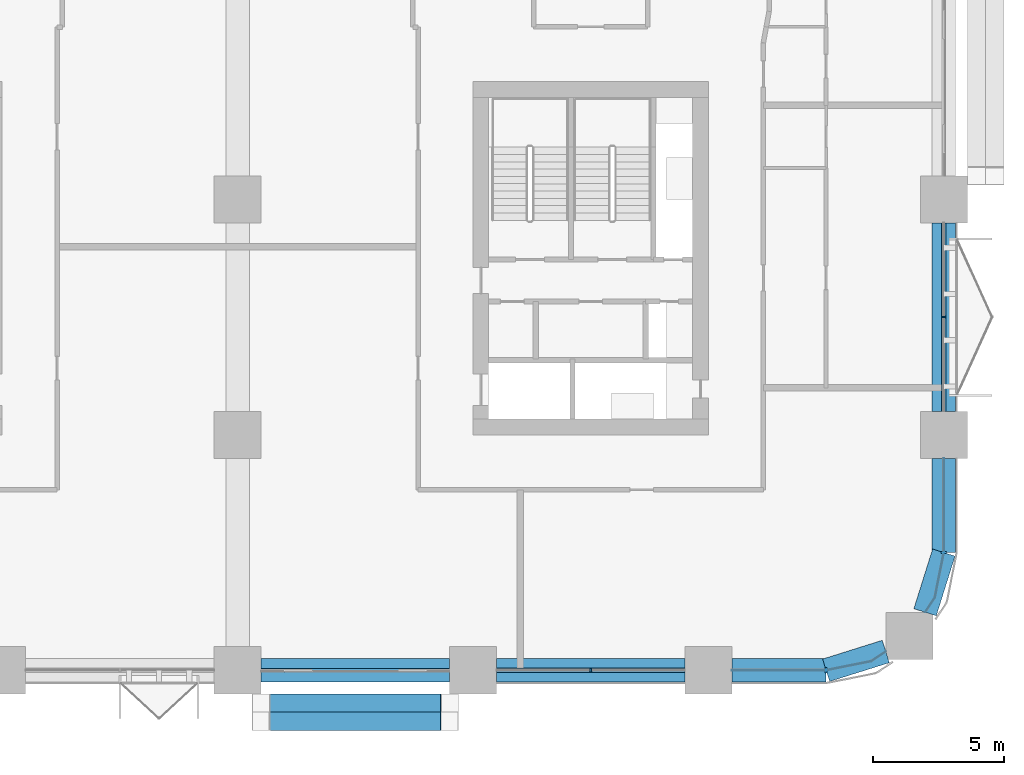
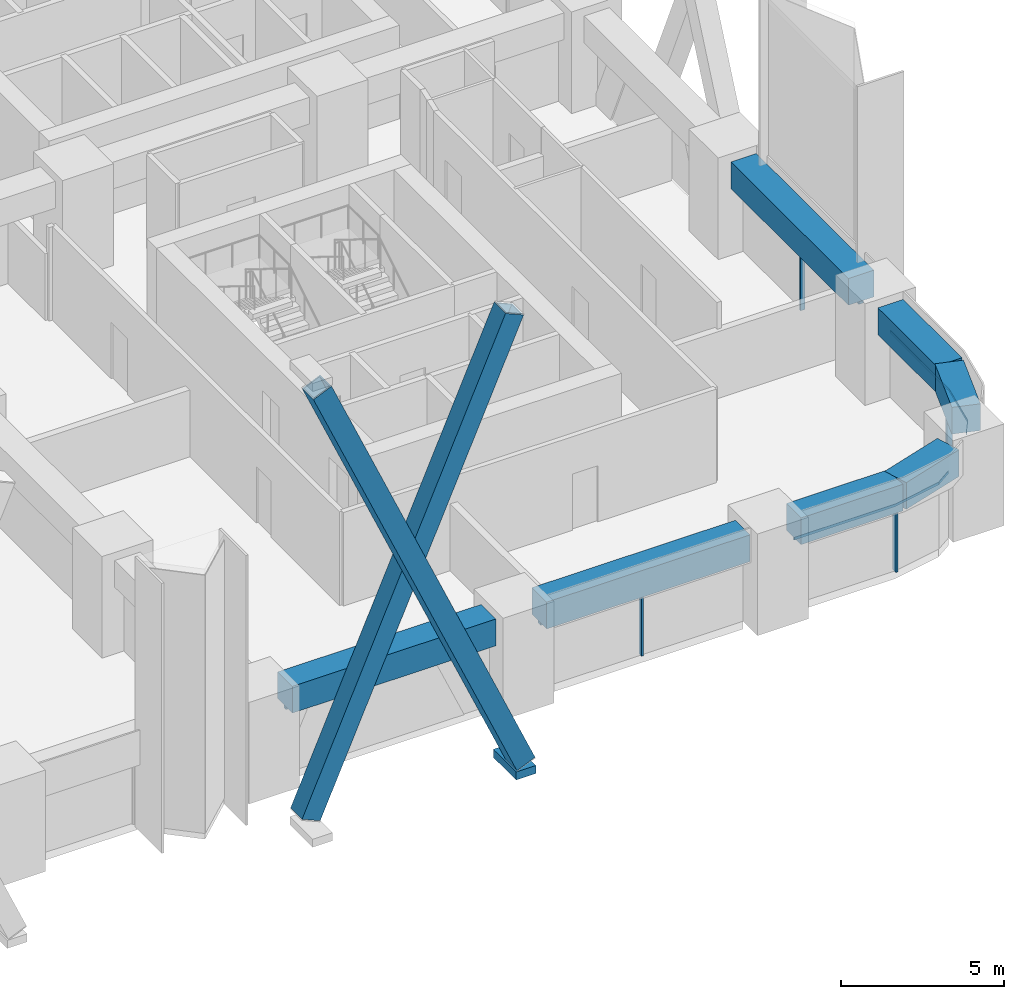
# One storey, part 5 of 24: 12 members, 7 beams, 5 elements without a shape of their own.
"""IFC4 building model written with IfcOpenShell, lengths in metres."""

from ifc_helpers import new_model, si_unit, direction, frame, origin, origin_2d, place, context, subcontext, project, spatial, polyline, rectangle, hollow_rectangle, outline, extrude, material, layer, layer_set, material_profile, profile_set, type_object, element, aggregate, save


model = new_model("IFC4")

# Units and contexts
model_context = context("Model", 3, precision=1e-05, world=origin(), true_north=direction((0.0, 1.0)))
body_context = subcontext(model_context, "Body", "Model", "MODEL_VIEW")
ifc_project = project(units=[si_unit("LENGTHUNIT", "METRE"), si_unit("AREAUNIT", "SQUARE_METRE"), si_unit("VOLUMEUNIT", "CUBIC_METRE"), si_unit("PLANEANGLEUNIT", "RADIAN"), si_unit("MASSUNIT", "GRAM", prefix="KILO")], contexts=[model_context])

# Site, building, storey
site_placement = place(None, origin())
site = spatial("IfcSite", under=ifc_project, at=site_placement, CompositionType="ELEMENT")
building_placement = place(site_placement, origin())
building = spatial("IfcBuilding", under=site, at=building_placement, Name="Tessera Arch", CompositionType="ELEMENT")
storey_placement = place(building_placement, frame((0.0, 0.0, 61.39990234375)))
storey = spatial("IfcBuildingStorey", under=building, at=storey_placement, Name="L13", CompositionType="ELEMENT", Elevation=61.39990234375)

# Members
ifc_material_1 = material(Name="Steel A572 Gr50", Category="steel")
ifc_material_profile_1 = material_profile(ifc_material_1, hollow_rectangle(XDim=0.699951171875, YDim=0.699951171875, WallThickness=0.050048828125, at=origin_2d()), Name="BOX 700x700x50")
ifc_profile_set_1 = profile_set([ifc_material_profile_1], Name="Steel A572 Gr50")
member_type_1 = type_object("IfcMemberType", Name="Brace BOX 700x700x50 Steel A572 Gr50", PredefinedType="BRACE", material=ifc_profile_set_1)
for number, where, z_axis, x_axis, name in (
    (1, (27.89990234375, -1.25, -0.7998046875), (0.402001211434, 0.0, 0.915639135252), (0.0, 1.0, 0.0), "Brace S0.0-2 A L13-L16"),
    (2, (35.10009765625, -1.949951171875, -0.7998046875), (-0.402001211434, 0.0, 0.915639135252), (0.0, -1.0, 0.0), "Brace S0.0-2 B L13-L16"),
):
    element("IfcMember", number, at=place(storey_placement, frame(where, z_axis=z_axis, x_axis=x_axis)), inside=storey, type_object=member_type_1, Name=name, PredefinedType="BRACE", context=body_context, shape_type="SweptSolid", body=[
        extrude(hollow_rectangle(XDim=0.699951171875, YDim=0.699951171875, WallThickness=0.050048828125, at=origin_2d()), origin(), (0.0, 0.0, 1.0), 17.910888671875),
    ])

# Curtain wall, member
ifc_material_2 = material(Name="CW1 curtain wall")
curtain_wall_type_1 = type_object("IfcCurtainWallType", Name="CW1 curtain wall", PredefinedType="NOTDEFINED", material=ifc_material_2)
curtain_wall_1_placement = place(storey_placement, origin())
curtain_wall_1 = element("IfcCurtainWall", 3, at=curtain_wall_1_placement, inside=storey, type_object=curtain_wall_type_1, Name="CW1 curtain wall S0.0/3 L13", PredefinedType="NOTDEFINED")
ifc_material_3 = material(Name="Anodised aluminium pale metal", Category="aluminium")
ifc_material_profile_2 = material_profile(ifc_material_3, rectangle(XDim=0.159912109375, YDim=0.06005859375, at=origin_2d()), Name="AL 60x160")
ifc_profile_set_2 = profile_set([ifc_material_profile_2], Name="Anodised aluminium pale metal")
member_type_2 = type_object("IfcMemberType", Name="CW1 mullion", PredefinedType="MULLION", material=ifc_profile_set_2)
member_1_placement = place(storey_placement, frame((40.5, 0.0, 0.0), z_axis=(0.0, 0.0, 1.0), x_axis=(0.0, 1.0, 0.0)))
member_1 = element("IfcMember", 4, at=member_1_placement, type_object=member_type_2, Name="CW1 mullion S0.0/3 1", PredefinedType="MULLION", context=body_context, shape_type="SweptSolid", body=[
    extrude(rectangle(XDim=0.159912109375, YDim=0.06005859375, at=origin_2d()), origin(), (0.0, 0.0, 1.0), 2.400146484375),
])

curtain_wall_2_placement = place(storey_placement, origin())
curtain_wall_2 = element("IfcCurtainWall", 5, at=curtain_wall_2_placement, inside=storey, type_object=curtain_wall_type_1, Name="CW1 curtain wall E54.0/1 L13", PredefinedType="NOTDEFINED")
member_2_placement = place(storey_placement, frame((54.0, 13.5, 0.0), z_axis=(0.0, 0.0, 1.0), x_axis=(-1.0, 0.0, 0.0)))
member_2 = element("IfcMember", 6, at=member_2_placement, type_object=member_type_2, Name="CW1 mullion E54.0/1 1", PredefinedType="MULLION", context=body_context, shape_type="SweptSolid", body=[
    extrude(rectangle(XDim=0.159912109375, YDim=0.06005859375, at=origin_2d()), origin(), (0.0, 0.0, 1.0), 2.400146484375),
])

# Member
ifc_material_4 = material(Name="Anodised aluminium pale metal", Category="aluminium")
ifc_material_profile_3 = material_profile(ifc_material_4, rectangle(XDim=0.159912109375, YDim=0.10009765625, at=origin_2d()), Name="AL 160x100")
ifc_profile_set_3 = profile_set([ifc_material_profile_3], Name="Anodised aluminium pale metal")
member_type_3 = type_object("IfcMemberType", Name="CW1 transom", PredefinedType="USERDEFINED", material=ifc_profile_set_3)
member_3_placement = place(storey_placement, frame((36.89990234375, 0.0, 2.4501953125), z_axis=(1.0, 0.0, 0.0), x_axis=(0.0, 1.0, 0.0)))
member_3 = element("IfcMember", 7, at=member_3_placement, type_object=member_type_3, Name="CW1 transom S0.0/3 1.1", ObjectType="TRANSOM", PredefinedType="USERDEFINED", context=body_context, shape_type="SweptSolid", body=[
    extrude(rectangle(XDim=0.159912109375, YDim=0.10009765625, at=origin_2d()), origin(), (0.0, 0.0, 1.0), 7.2001953125),
])

aggregate(curtain_wall_1, [member_1, member_3])

member_4_placement = place(storey_placement, frame((54.0, 9.89990234375, 2.4501953125), z_axis=(0.0, 1.0, 0.0), x_axis=(-1.0, 0.0, 0.0)))
member_4 = element("IfcMember", 8, at=member_4_placement, type_object=member_type_3, Name="CW1 transom E54.0/1 1.1", ObjectType="TRANSOM", PredefinedType="USERDEFINED", context=body_context, shape_type="SweptSolid", body=[
    extrude(rectangle(XDim=0.159912109375, YDim=0.10009765625, at=origin_2d()), origin(), (0.0, 0.0, 1.0), 7.2001953125),
])

aggregate(curtain_wall_2, [member_2, member_4])

# Curtain wall, member
ifc_material_5 = material(Name="CW2 curtain wall")
curtain_wall_type_2 = type_object("IfcCurtainWallType", Name="CW2 curtain wall", PredefinedType="NOTDEFINED", material=ifc_material_5)
curtain_wall_3_placement = place(storey_placement, origin())
curtain_wall_3 = element("IfcCurtainWall", 9, at=curtain_wall_3_placement, inside=storey, type_object=curtain_wall_type_2, Name="CW2 curtain wall S0.0/4 L13", PredefinedType="NOTDEFINED")
ifc_material_6 = material(Name="Anodised aluminium pale metal", Category="aluminium")
ifc_material_profile_4 = material_profile(ifc_material_6, rectangle(XDim=0.199951171875, YDim=0.080078125, at=origin_2d()), Name="AL 80x200")
ifc_profile_set_4 = profile_set([ifc_material_profile_4], Name="Anodised aluminium pale metal")
member_type_4 = type_object("IfcMemberType", Name="CW2 mullion", PredefinedType="MULLION", material=ifc_profile_set_4)
member_5_placement = place(storey_placement, frame((49.5, 0.0, 0.0), z_axis=(0.0, 0.0, 1.0), x_axis=(0.0, 1.0, 0.0)))
member_5 = element("IfcMember", 10, at=member_5_placement, type_object=member_type_4, Name="CW2 mullion S0.0/4 1", PredefinedType="MULLION", context=body_context, shape_type="SweptSolid", body=[
    extrude(rectangle(XDim=0.199951171875, YDim=0.080078125, at=origin_2d()), origin(), (0.0, 0.0, 1.0), 2.400146484375),
])

curtain_wall_4_placement = place(storey_placement, origin())
curtain_wall_4 = element("IfcCurtainWall", 11, at=curtain_wall_4_placement, inside=storey, type_object=curtain_wall_type_2, Name="CW2 curtain wall E54.0/0 L13", PredefinedType="NOTDEFINED")
member_6_placement = place(storey_placement, frame((54.0, 4.5, 0.0), z_axis=(0.0, 0.0, 1.0), x_axis=(-1.0, 0.0, 0.0)))
member_6 = element("IfcMember", 12, at=member_6_placement, type_object=member_type_4, Name="CW2 mullion E54.0/0 1", PredefinedType="MULLION", context=body_context, shape_type="SweptSolid", body=[
    extrude(rectangle(XDim=0.199951171875, YDim=0.080078125, at=origin_2d()), origin(), (0.0, 0.0, 1.0), 2.400146484375),
])

# Member
ifc_material_7 = material(Name="Anodised aluminium pale metal", Category="aluminium")
ifc_material_profile_5 = material_profile(ifc_material_7, rectangle(XDim=0.199951171875, YDim=0.10009765625, at=origin_2d()), Name="AL 200x100")
ifc_profile_set_5 = profile_set([ifc_material_profile_5], Name="Anodised aluminium pale metal")
member_type_5 = type_object("IfcMemberType", Name="CW2 transom", PredefinedType="USERDEFINED", material=ifc_profile_set_5)
member_7_placement = place(storey_placement, frame((0.0, 0.0, 2.400146484375)))
member_7 = element("IfcMember", 13, at=member_7_placement, type_object=member_type_5, Name="CW2 transom S0.0/4 1", ObjectType="TRANSOM", PredefinedType="USERDEFINED", context=body_context, shape_type="SweptSolid", body=[
    extrude(outline(polyline([(49.4990234375, 0.010009765625), (45.89990234375, 0.010009765625), (45.89990234375, -0.010009765625), (49.5009765625, -0.010009765625), (51.22607421875, 0.3330078125), (51.78759765625, 0.70849609375), (51.7763671875, 0.72509765625), (51.21826171875, 0.351806640625), (49.4990234375, 0.010009765625)])), origin(), (0.0, 0.0, 1.0), 0.099853515625),
])

aggregate(curtain_wall_3, [member_5, member_7])

member_8_placement = place(storey_placement, frame((0.0, 0.0, 2.400146484375)))
member_8 = element("IfcMember", 14, at=member_8_placement, type_object=member_type_5, Name="CW2 transom E54.0/0 1", ObjectType="TRANSOM", PredefinedType="USERDEFINED", context=body_context, shape_type="SweptSolid", body=[
    extrude(outline(polyline([(53.648193359375, 2.78173828125), (53.27490234375, 2.2236328125), (53.29150390625, 2.21240234375), (53.6669921875, 2.77392578125), (54.010009765625, 4.4990234375), (54.010009765625, 8.10009765625), (53.989990234375, 8.10009765625), (53.989990234375, 4.5009765625), (53.648193359375, 2.78173828125)])), origin(), (0.0, 0.0, 1.0), 0.099853515625),
])

aggregate(curtain_wall_4, [member_6, member_8])

# Curtain wall, member
ifc_material_8 = material(Name="CW3 curtain wall")
curtain_wall_type_3 = type_object("IfcCurtainWallType", Name="CW3 curtain wall", PredefinedType="NOTDEFINED", material=ifc_material_8)
curtain_wall_5_placement = place(storey_placement, origin())
curtain_wall_5 = element("IfcCurtainWall", 15, at=curtain_wall_5_placement, inside=storey, type_object=curtain_wall_type_3, Name="CW3 curtain wall S0.0/2 L13", PredefinedType="NOTDEFINED")
ifc_material_9 = material(Name="Anodised aluminium pale metal", Category="aluminium")
ifc_material_profile_6 = material_profile(ifc_material_9, rectangle(XDim=0.139892578125, YDim=0.10009765625, at=origin_2d()), Name="AL 140x100")
ifc_profile_set_6 = profile_set([ifc_material_profile_6], Name="Anodised aluminium pale metal")
member_type_6 = type_object("IfcMemberType", Name="CW3 transom", PredefinedType="USERDEFINED", material=ifc_profile_set_6)
member_9_placement = place(storey_placement, frame((27.89990234375, 0.0, 2.4501953125), z_axis=(1.0, 0.0, 0.0), x_axis=(0.0, 1.0, 0.0)))
member_9 = element("IfcMember", 16, at=member_9_placement, type_object=member_type_6, Name="CW3 transom S0.0/2 1.1", ObjectType="TRANSOM", PredefinedType="USERDEFINED", context=body_context, shape_type="SweptSolid", body=[
    extrude(rectangle(XDim=0.139892578125, YDim=0.10009765625, at=origin_2d()), origin(), (0.0, 0.0, 1.0), 7.2001953125),
])
aggregate(curtain_wall_5, [member_9])

# Member
ifc_material_10 = material(Name="Steel A572 Gr50", Category="steel")
ifc_layer = layer(ifc_material_10, 0.050048828125)
ifc_layer_set = layer_set([ifc_layer], Name="Node block Steel A572 Gr50")
member_type_7 = type_object("IfcMemberType", Name="Node block Steel A572 Gr50", PredefinedType="PLATE", material=ifc_layer_set)
member_10_placement = place(storey_placement, frame((35.10009765625, -1.60009765625, -1.27734375), z_axis=(0.0, 0.0, 1.0), x_axis=(1.0, 0.0, 0.0)))
element("IfcMember", 17, at=member_10_placement, inside=storey, type_object=member_type_7, Name="Node block seat S0.0-2 1 L13", PredefinedType="PLATE", context=body_context, shape_type="SweptSolid", body=[
    extrude(rectangle(XDim=0.699951171875, YDim=1.39990234375, at=origin_2d()), origin(), (0.0, 0.0, 1.0), 0.300048828125),
])

# Beams
ifc_material_11 = material(Name="Concrete C80/95", Category="concrete")
ifc_material_profile_7 = material_profile(ifc_material_11, rectangle(XDim=0.89990234375, YDim=1.0, at=origin_2d()), Name="RC spandrel beam 900 x 1000 Concrete C80/95")
ifc_profile_set_7 = profile_set([ifc_material_profile_7], Name="Concrete C80/95")
beam_type = type_object("IfcBeamType", Name="RC spandrel beam 900 x 1000 Concrete C80/95", PredefinedType="BEAM", material=ifc_profile_set_7)
for number, where, z_axis, x_axis, name in (
    (18, (27.89990234375, 0.0, 3.0), (1.0, 0.0, 0.0), (0.0, 1.0, 0.0), "Spandrel beam L13 S0.0/2"),
    (19, (36.89990234375, 0.0, 3.0), (1.0, 0.0, 0.0), (0.0, 1.0, 0.0), "Spandrel beam L13 S0.0/3"),
):
    element("IfcBeam", number, at=place(storey_placement, frame(where, z_axis=z_axis, x_axis=x_axis)), inside=storey, type_object=beam_type, Name=name, PredefinedType="BEAM", context=body_context, shape_type="SweptSolid", body=[
        extrude(rectangle(XDim=0.89990234375, YDim=1.0, at=origin_2d()), origin(), (0.0, 0.0, 1.0), 7.2001953125),
    ])
beam_1_placement = place(storey_placement, frame((45.89990234375, 0.0, 3.0), z_axis=(1.0, 0.0, 0.0), x_axis=(0.0, 1.0, 0.0)))
element("IfcBeam", 20, at=beam_1_placement, inside=storey, type_object=beam_type, Name="Spandrel beam L13 S0.0/4.1", PredefinedType="BEAM", context=body_context, shape_type="SweptSolid", body=[
    extrude(rectangle(XDim=0.89990234375, YDim=1.0, at=origin_2d()), origin(), (0.0, 0.0, 1.0), 3.60009765625),
])
for number, where, z_axis, x_axis, name in (
    (21, (49.5, 0.0, 3.0), (0.954041251279, 0.299675309057, 0.0), (-0.299675309057, 0.954041251279, 0.0), "Spandrel beam L13 S0.0/4.2"),
    (22, (53.283203125, 2.218017578125, 3.0), (0.299675309057, 0.954041251279, 0.0), (-0.954041251279, 0.299675309057, 0.0), "Spandrel beam L13 E54.0/0.1"),
):
    element("IfcBeam", number, at=place(storey_placement, frame(where, z_axis=z_axis, x_axis=x_axis)), inside=storey, type_object=beam_type, Name=name, PredefinedType="BEAM", context=body_context, shape_type="SweptSolid", body=[
        extrude(rectangle(XDim=0.89990234375, YDim=1.0, at=origin_2d()), origin(), (0.0, 0.0, 1.0), 2.391845703125),
    ])
beam_2_placement = place(storey_placement, frame((54.0, 4.5, 3.0), z_axis=(0.0, 1.0, 0.0), x_axis=(-1.0, 0.0, 0.0)))
element("IfcBeam", 23, at=beam_2_placement, inside=storey, type_object=beam_type, Name="Spandrel beam L13 E54.0/0.2", PredefinedType="BEAM", context=body_context, shape_type="SweptSolid", body=[
    extrude(rectangle(XDim=0.89990234375, YDim=1.0, at=origin_2d()), origin(), (0.0, 0.0, 1.0), 3.60009765625),
])
beam_3_placement = place(storey_placement, frame((54.0, 9.89990234375, 3.0), z_axis=(0.0, 1.0, 0.0), x_axis=(-1.0, 0.0, 0.0)))
element("IfcBeam", 24, at=beam_3_placement, inside=storey, type_object=beam_type, Name="Spandrel beam L13 E54.0/1", PredefinedType="BEAM", context=body_context, shape_type="SweptSolid", body=[
    extrude(rectangle(XDim=0.89990234375, YDim=1.0, at=origin_2d()), origin(), (0.0, 0.0, 1.0), 7.2001953125),
])

save(model, "model.ifc")
